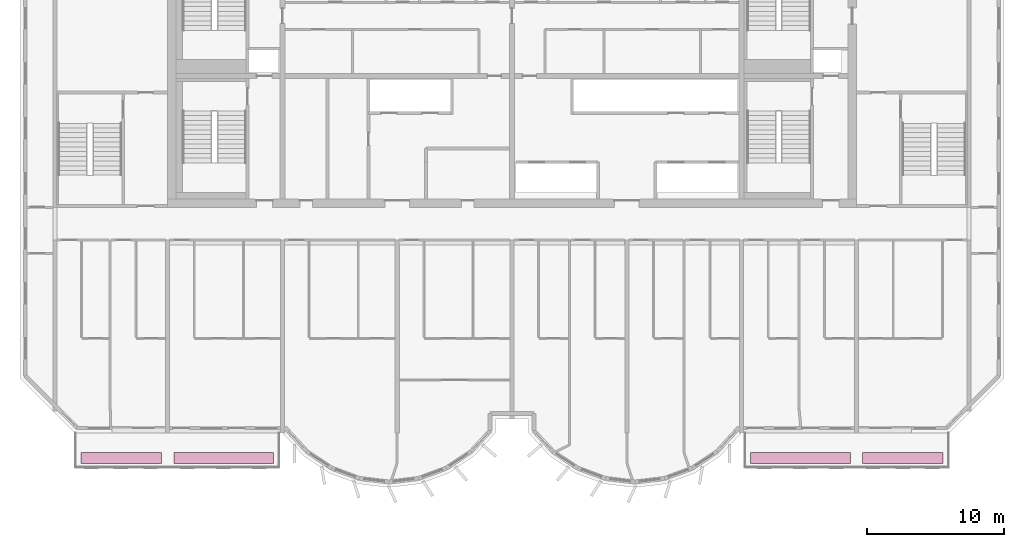
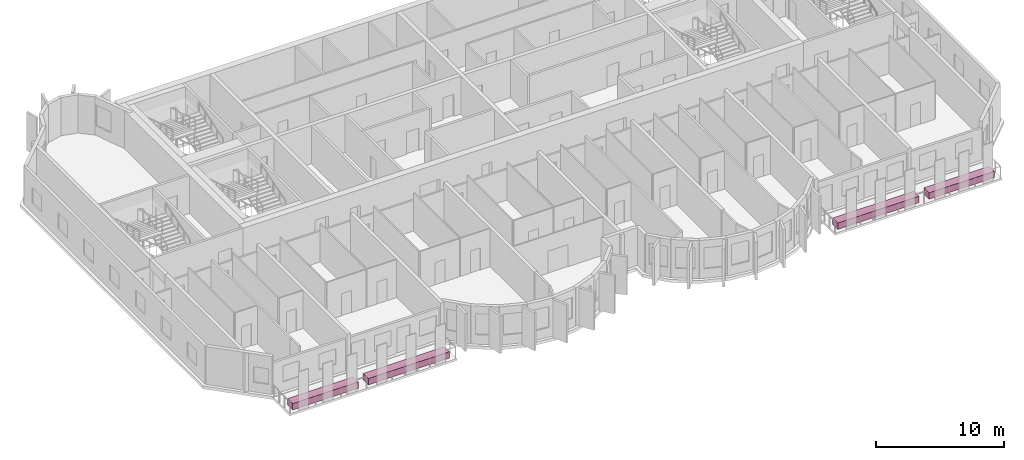
# One storey, part 11 of 11: 4 furniture elements.
"""IFC4 building model written with IfcOpenShell, lengths in metres."""

from ifc_helpers import new_model, si_unit, direction, frame, origin, origin_2d, place, context, subcontext, project, spatial, rectangle, extrude, source, transform, mapped, material, type_object, element, save


model = new_model("IFC4")

# Units and contexts
model_context = context("Model", 3, precision=1e-05, world=origin(), true_north=direction((0.0, 1.0)))
body_context = subcontext(model_context, "Body", "Model", "MODEL_VIEW")
ifc_project = project(units=[si_unit("LENGTHUNIT", "METRE"), si_unit("AREAUNIT", "SQUARE_METRE"), si_unit("VOLUMEUNIT", "CUBIC_METRE"), si_unit("PLANEANGLEUNIT", "RADIAN"), si_unit("MASSUNIT", "GRAM", prefix="KILO")], contexts=[model_context])

# Site, building, storey
site_placement = place(None, origin())
site = spatial("IfcSite", under=ifc_project, at=site_placement, CompositionType="ELEMENT")
building_placement = place(site_placement, origin())
building = spatial("IfcBuilding", under=site, at=building_placement, Name="Vanashikhar Sky Hotel", CompositionType="ELEMENT")
storey_placement = place(building_placement, frame((0.0, 0.0, 217.89990234375)))
storey = spatial("IfcBuildingStorey", under=building, at=storey_placement, Name="L52", CompositionType="ELEMENT", Elevation=217.89990234375)

# Furniture
ifc_material = material(Name="Planting soil and shrubs")
furniture_type = type_object("IfcFurnitureType", Name="Planter trough", AssemblyPlace="NOTDEFINED", PredefinedType="USERDEFINED", material=ifc_material)
shared_shape_1 = source(origin(), body_context, "Body", "SweptSolid", [
    extrude(rectangle(XDim=7.300048828125, YDim=0.800048828125, at=origin_2d()), origin(), (0.0, 0.0, 1.0), 0.60009765625),
])
for number, where, z_axis, x_axis, name in (
    (1, (29.300048828125, 3.64990234375, -0.050048828125), (0.0, 0.0, 1.0), (1.0, 0.0, 0.0), "PLANTER with climbers"),
    (2, (71.5, 3.64990234375, -0.050048828125), (0.0, 0.0, 1.0), (1.0, 0.0, 0.0), "PLANTER with climbers"),
):
    element("IfcFurniture", number, at=place(storey_placement, frame(where, z_axis=z_axis, x_axis=x_axis)), inside=storey, type_object=furniture_type, Name=name, ObjectType="PLANTER", PredefinedType="USERDEFINED", context=body_context, shape_type="MappedRepresentation", body=[
        mapped(shared_shape_1, transform((0.0, 0.0, 0.0), scale=1.0)),
    ])
shared_shape_2 = source(origin(), body_context, "Body", "SweptSolid", [
    extrude(rectangle(XDim=5.89990234375, YDim=0.800048828125, at=origin_2d()), origin(), (0.0, 0.0, 1.0), 0.60009765625),
])
for number, where, z_axis, x_axis, name in (
    (3, (21.800048828125, 3.64990234375, -0.050048828125), (0.0, 0.0, 1.0), (1.0, 0.0, 0.0), "PLANTER with climbers"),
    (4, (79.0, 3.64990234375, -0.050048828125), (0.0, 0.0, 1.0), (1.0, 0.0, 0.0), "PLANTER with climbers"),
):
    element("IfcFurniture", number, at=place(storey_placement, frame(where, z_axis=z_axis, x_axis=x_axis)), inside=storey, type_object=furniture_type, Name=name, ObjectType="PLANTER", PredefinedType="USERDEFINED", context=body_context, shape_type="MappedRepresentation", body=[
        mapped(shared_shape_2, transform((0.0, 0.0, 0.0), scale=1.0)),
    ])

save(model, "model.ifc")
